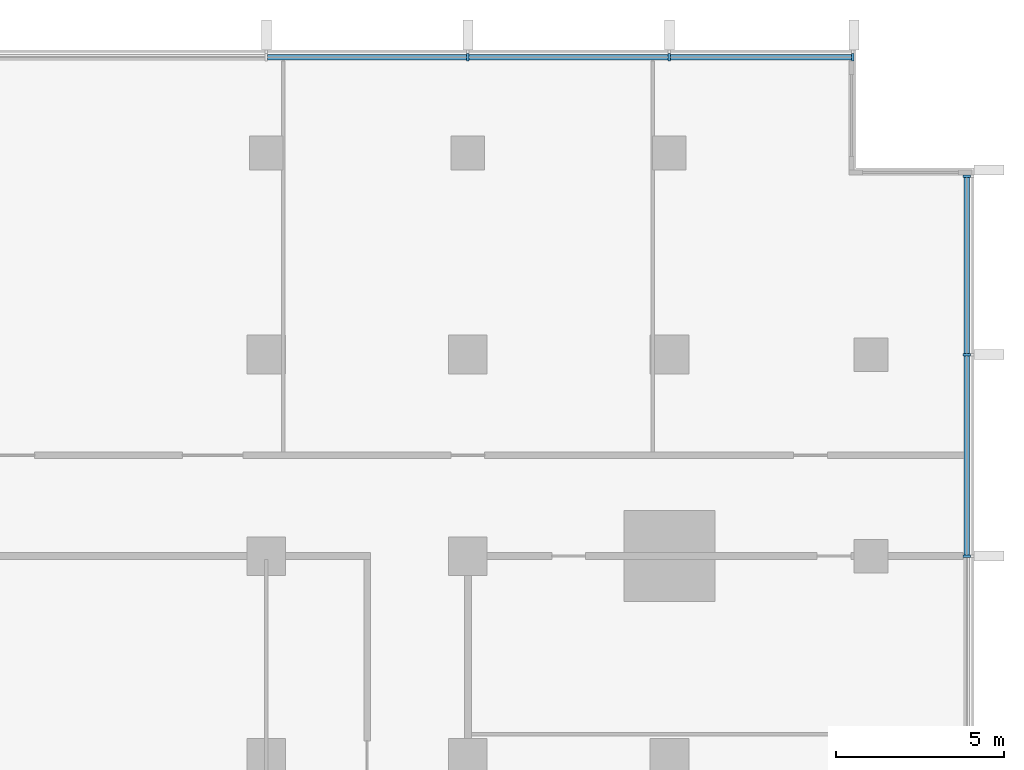
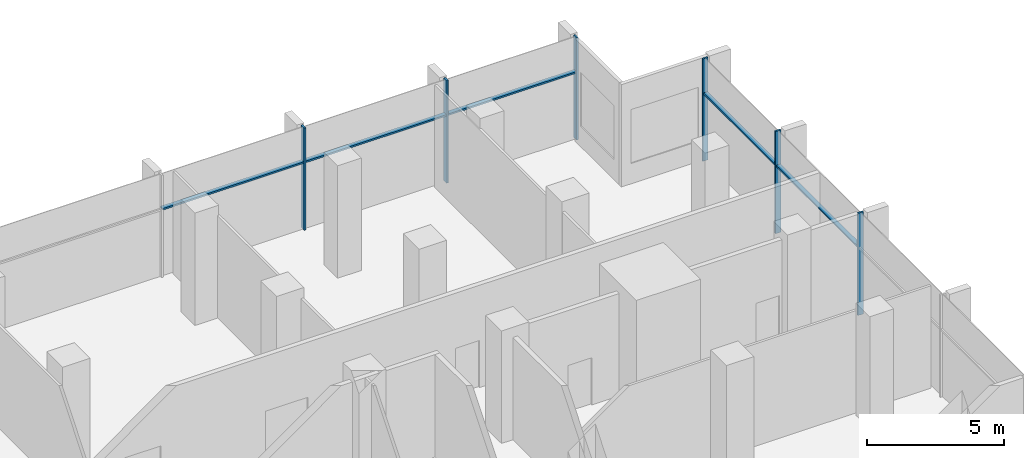
# One storey, part 5 of 15: 11 members, 2 elements without a shape of their own.
"""IFC4 building model written with IfcOpenShell, lengths in metres."""

from ifc_helpers import new_model, si_unit, direction, frame, origin, origin_2d, place, context, subcontext, project, spatial, rectangle, extrude, material, material_profile, profile_set, type_object, element, aggregate, save


model = new_model("IFC4")

# Units and contexts
model_context = context("Model", 3, precision=1e-05, world=origin(), true_north=direction((0.0, 1.0)))
body_context = subcontext(model_context, "Body", "Model", "MODEL_VIEW")
ifc_project = project(units=[si_unit("LENGTHUNIT", "METRE"), si_unit("AREAUNIT", "SQUARE_METRE"), si_unit("VOLUMEUNIT", "CUBIC_METRE"), si_unit("PLANEANGLEUNIT", "RADIAN"), si_unit("MASSUNIT", "GRAM", prefix="KILO")], contexts=[model_context])

# Site, building, storey
site_placement = place(None, origin())
site = spatial("IfcSite", under=ifc_project, at=site_placement, CompositionType="ELEMENT")
building_placement = place(site_placement, origin())
building = spatial("IfcBuilding", under=site, at=building_placement, Name="Finial Court Residences", CompositionType="ELEMENT")
storey_placement = place(building_placement, frame((0.0, 0.0, 138.89990234375)))
storey = spatial("IfcBuildingStorey", under=building, at=storey_placement, Name="L34", CompositionType="ELEMENT", Elevation=138.89990234375)

# Curtain wall, members
ifc_material = material(Name="Bronze anodised aluminium", Category="aluminium")
curtain_wall_type = type_object("IfcCurtainWallType", Name="Sky amenity glazing", PredefinedType="NOTDEFINED", material=ifc_material)
curtain_wall_1_placement = place(storey_placement, origin())
curtain_wall_1 = element("IfcCurtainWall", 1, at=curtain_wall_1_placement, inside=storey, type_object=curtain_wall_type, Name="E-L34-CW-N1", PredefinedType="NOTDEFINED")
ifc_material_profile_1 = material_profile(ifc_material, rectangle(XDim=0.22509765625, YDim=0.074951171875, at=origin_2d()), Name="CW3 mullion 75 x 225")
ifc_profile_set_1 = profile_set([ifc_material_profile_1], Name="Bronze anodised aluminium")
member_type_1 = type_object("IfcMemberType", Name="CW3 mullion 75 x 225", PredefinedType="MULLION", material=ifc_profile_set_1)
member_1_placement = place(storey_placement, frame((10.5, 22.35009765625, 0.0), z_axis=(0.0, 0.0, 1.0), x_axis=(0.0, 1.0, 0.0)))
member_1 = element("IfcMember", 2, at=member_1_placement, type_object=member_type_1, Name="CW3 mullion 6", PredefinedType="MULLION", context=body_context, shape_type="SweptSolid", body=[
    extrude(rectangle(XDim=0.22509765625, YDim=0.074951171875, at=origin_2d()), origin(), (0.0, 0.0, 1.0), 4.550048828125),
])
member_2_placement = place(storey_placement, frame((16.5, 22.35009765625, 0.0), z_axis=(0.0, 0.0, 1.0), x_axis=(0.0, 1.0, 0.0)))
member_2 = element("IfcMember", 3, at=member_2_placement, type_object=member_type_1, Name="CW3 mullion 7", PredefinedType="MULLION", context=body_context, shape_type="SweptSolid", body=[
    extrude(rectangle(XDim=0.22509765625, YDim=0.074951171875, at=origin_2d()), origin(), (0.0, 0.0, 1.0), 4.550048828125),
])
member_3_placement = place(storey_placement, frame((21.96240234375, 22.35009765625, 0.0), z_axis=(0.0, 0.0, 1.0), x_axis=(0.0, 1.0, 0.0)))
member_3 = element("IfcMember", 4, at=member_3_placement, type_object=member_type_1, Name="CW3 mullion 8", PredefinedType="MULLION", context=body_context, shape_type="SweptSolid", body=[
    extrude(rectangle(XDim=0.22509765625, YDim=0.074951171875, at=origin_2d()), origin(), (0.0, 0.0, 1.0), 4.550048828125),
])

curtain_wall_2_placement = place(storey_placement, origin())
curtain_wall_2 = element("IfcCurtainWall", 5, at=curtain_wall_2_placement, inside=storey, type_object=curtain_wall_type, Name="E-L34-CW-E2", PredefinedType="NOTDEFINED")
member_4_placement = place(storey_placement, frame((25.35009765625, 7.5, 0.0), z_axis=(0.0, 0.0, 1.0), x_axis=(-1.0, 0.0, 0.0)))
member_4 = element("IfcMember", 6, at=member_4_placement, type_object=member_type_1, Name="CW3 mullion 5", PredefinedType="MULLION", context=body_context, shape_type="SweptSolid", body=[
    extrude(rectangle(XDim=0.22509765625, YDim=0.074951171875, at=origin_2d()), origin(), (0.0, 0.0, 1.0), 4.550048828125),
])
member_5_placement = place(storey_placement, frame((25.35009765625, 13.5, 0.0), z_axis=(0.0, 0.0, 1.0), x_axis=(-1.0, 0.0, 0.0)))
member_5 = element("IfcMember", 7, at=member_5_placement, type_object=member_type_1, Name="CW3 mullion 6", PredefinedType="MULLION", context=body_context, shape_type="SweptSolid", body=[
    extrude(rectangle(XDim=0.22509765625, YDim=0.074951171875, at=origin_2d()), origin(), (0.0, 0.0, 1.0), 4.550048828125),
])
member_6_placement = place(storey_placement, frame((25.35009765625, 18.8125, 0.0), z_axis=(0.0, 0.0, 1.0), x_axis=(-1.0, 0.0, 0.0)))
member_6 = element("IfcMember", 8, at=member_6_placement, type_object=member_type_1, Name="CW3 mullion 7", PredefinedType="MULLION", context=body_context, shape_type="SweptSolid", body=[
    extrude(rectangle(XDim=0.22509765625, YDim=0.074951171875, at=origin_2d()), origin(), (0.0, 0.0, 1.0), 4.550048828125),
])

# Member
ifc_material_profile_2 = material_profile(ifc_material, rectangle(XDim=0.175048828125, YDim=0.074951171875, at=origin_2d()), Name="CW3 transom 75 x 175")
ifc_profile_set_2 = profile_set([ifc_material_profile_2], Name="Bronze anodised aluminium")
member_type_2 = type_object("IfcMemberType", Name="CW3 transom 75 x 175", PredefinedType="USERDEFINED", material=ifc_profile_set_2)
member_7_placement = place(storey_placement, frame((4.53759765625, 22.35009765625, 3.0), z_axis=(1.0, 0.0, 0.0), x_axis=(0.0, 1.0, 0.0)))
member_7 = element("IfcMember", 9, at=member_7_placement, type_object=member_type_2, Name="CW3 transom 5.1", ObjectType="TRANSOM", PredefinedType="USERDEFINED", context=body_context, shape_type="SweptSolid", body=[
    extrude(rectangle(XDim=0.175048828125, YDim=0.074951171875, at=origin_2d()), origin(), (0.0, 0.0, 1.0), 5.9248046875),
])

member_8_placement = place(storey_placement, frame((10.53759765625, 22.35009765625, 3.0), z_axis=(1.0, 0.0, 0.0), x_axis=(0.0, 1.0, 0.0)))
member_8 = element("IfcMember", 10, at=member_8_placement, type_object=member_type_2, Name="CW3 transom 6.1", ObjectType="TRANSOM", PredefinedType="USERDEFINED", context=body_context, shape_type="SweptSolid", body=[
    extrude(rectangle(XDim=0.175048828125, YDim=0.074951171875, at=origin_2d()), origin(), (0.0, 0.0, 1.0), 5.9248046875),
])

member_9_placement = place(storey_placement, frame((16.53759765625, 22.35009765625, 3.0), z_axis=(1.0, 0.0, 0.0), x_axis=(0.0, 1.0, 0.0)))
member_9 = element("IfcMember", 11, at=member_9_placement, type_object=member_type_2, Name="CW3 transom 7.1", ObjectType="TRANSOM", PredefinedType="USERDEFINED", context=body_context, shape_type="SweptSolid", body=[
    extrude(rectangle(XDim=0.175048828125, YDim=0.074951171875, at=origin_2d()), origin(), (0.0, 0.0, 1.0), 5.387451171875),
])

aggregate(curtain_wall_1, [member_1, member_2, member_3, member_7, member_8, member_9])

member_10_placement = place(storey_placement, frame((25.35009765625, 7.53759765625, 3.0), z_axis=(0.0, 1.0, 0.0), x_axis=(-1.0, 0.0, 0.0)))
member_10 = element("IfcMember", 12, at=member_10_placement, type_object=member_type_2, Name="CW3 transom 5.1", ObjectType="TRANSOM", PredefinedType="USERDEFINED", context=body_context, shape_type="SweptSolid", body=[
    extrude(rectangle(XDim=0.175048828125, YDim=0.074951171875, at=origin_2d()), origin(), (0.0, 0.0, 1.0), 5.9248046875),
])

member_11_placement = place(storey_placement, frame((25.35009765625, 13.53759765625, 3.0), z_axis=(0.0, 1.0, 0.0), x_axis=(-1.0, 0.0, 0.0)))
member_11 = element("IfcMember", 13, at=member_11_placement, type_object=member_type_2, Name="CW3 transom 6.1", ObjectType="TRANSOM", PredefinedType="USERDEFINED", context=body_context, shape_type="SweptSolid", body=[
    extrude(rectangle(XDim=0.175048828125, YDim=0.074951171875, at=origin_2d()), origin(), (0.0, 0.0, 1.0), 5.2373046875),
])

aggregate(curtain_wall_2, [member_4, member_5, member_6, member_10, member_11])

save(model, "model.ifc")
